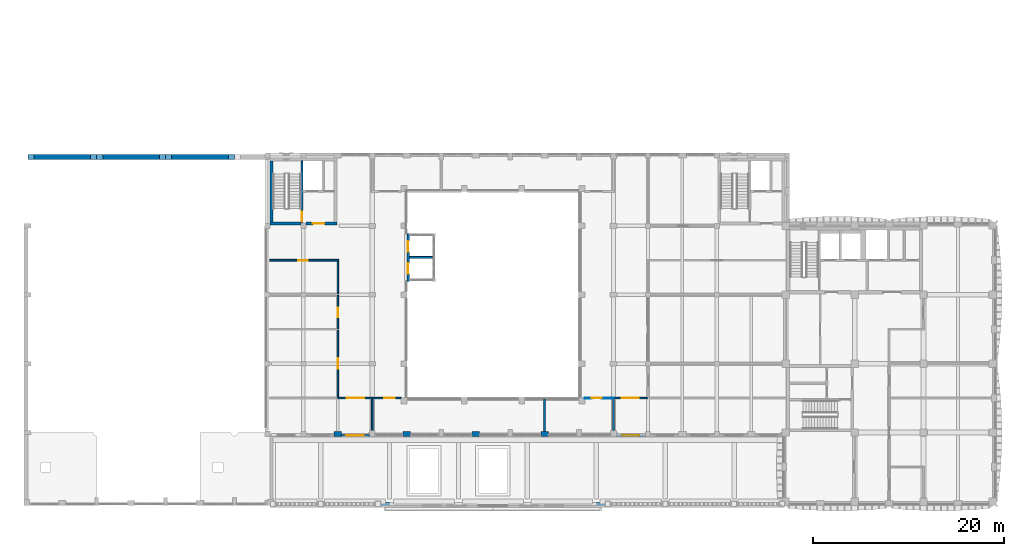
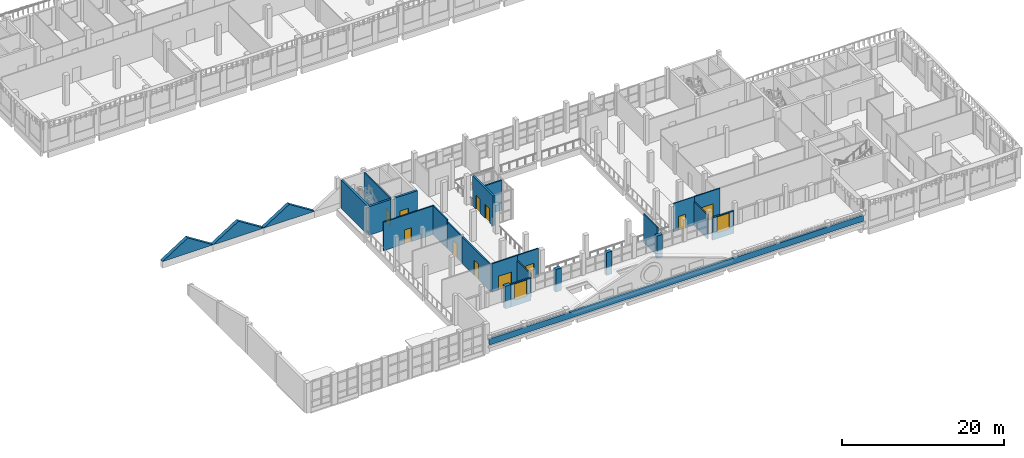
# One storey, part 20 of 58: 27 walls, 11 doors, 2 windows, 13 openings.
"""IFC4 building model written with IfcOpenShell, lengths in metres."""

from ifc_helpers import new_model, si_unit, direction, frame, frame_2d, origin, place, context, subcontext, project, spatial, polyline, rectangle, outline, extrude, material, layer, layer_set, type_object, element, fill, save


model = new_model("IFC4")

# Units and contexts
model_context = context("Model", 3, precision=1e-05, world=origin(), true_north=direction((0.0, 1.0)))
body_context = subcontext(model_context, "Body", "Model", "MODEL_VIEW")
ifc_project = project(units=[si_unit("LENGTHUNIT", "METRE"), si_unit("AREAUNIT", "SQUARE_METRE"), si_unit("VOLUMEUNIT", "CUBIC_METRE"), si_unit("PLANEANGLEUNIT", "RADIAN"), si_unit("MASSUNIT", "GRAM", prefix="KILO")], contexts=[model_context])

# Site, building, storey
site_placement = place(None, origin())
site = spatial("IfcSite", under=ifc_project, at=site_placement, CompositionType="ELEMENT")
building_placement = place(site_placement, origin())
building = spatial("IfcBuilding", under=site, at=building_placement, Name="Ussher Court Research Institute", CompositionType="ELEMENT")
storey_placement = place(building_placement, frame((0.0, 0.0, 9.89990234375)))
storey = spatial("IfcBuildingStorey", under=building, at=storey_placement, Name="L02", CompositionType="ELEMENT", Elevation=9.89990234375)

# Wall, opening, door
ifc_material_1 = material(Name="Plasterboard on steel studs with mineral wool", Category="steel")
ifc_layer_1 = layer(ifc_material_1, 0.179931640625)
ifc_layer_set_1 = layer_set([ifc_layer_1], Name="Plasterboard on steel studs with mineral wool")
wall_type_1 = type_object("IfcWallType", Name="Acoustic twin-stud partition 180", PredefinedType="PARTITIONING", material=ifc_layer_set_1)
wall_1_placement = place(storey_placement, frame((35.39990234375, 14.800048828125, 0.0), z_axis=(0.0, 0.0, 1.0), x_axis=(1.0, 0.0, 0.0)))
wall_1 = element("IfcWall", 1, at=wall_1_placement, inside=storey, type_object=wall_type_1, Name="Partition", PredefinedType="PARTITIONING", context=body_context, shape_type="SweptSolid", body=[
    extrude(rectangle(XDim=3.60009765625, YDim=0.179931640625, at=frame_2d((1.800048828125, 0.0))), origin(), (0.0, 0.0, 1.0), 4.300048828125),
])
opening_1_placement = place(wall_1_placement, frame((0.949951171875, 0.0, 0.0)))
opening_1 = element("IfcOpeningElement", 2, at=opening_1_placement, cuts=wall_1, Name="Opening D02017", PredefinedType="OPENING", context=body_context, shape_type="SweptSolid", body=[
    extrude(rectangle(XDim=1.800048828125, YDim=2.10009765625, at=frame_2d((0.89990234375, 1.050048828125))), frame((0.0, 0.10009765625, 0.0), z_axis=(0.0, -1.0, 0.0), x_axis=(1.0, 0.0, 0.0)), (0.0, 0.0, 1.0), 0.199951171875),
])
ifc_material_2 = material(Name="Veneered timber door", Category="wood")
door_type_1 = type_object("IfcDoorType", Name="Library door 1800x2100 double leaf", OperationType="DOUBLE_DOOR_SINGLE_SWING", PredefinedType="DOOR", material=ifc_material_2)
door_1_placement = place(opening_1_placement, origin())
door_1 = element("IfcDoor", 3, at=door_1_placement, inside=storey, type_object=door_type_1, Name="Door D02017", OperationType="SINGLE_SWING_LEFT", OverallHeight=2.10009765625, OverallWidth=1.800048828125, PredefinedType="DOOR", context=body_context, shape_type="SweptSolid", body=[
    extrude(rectangle(XDim=1.800048828125, YDim=2.10009765625, at=frame_2d((0.89990234375, 1.050048828125))), frame((0.0, 0.02490234375, 0.0), z_axis=(0.0, -1.0, 0.0), x_axis=(1.0, 0.0, 0.0)), (0.0, 0.0, 1.0), 0.050048828125),
])
fill(opening_1, door_1)

wall_2_placement = place(storey_placement, frame((42.0, 14.800048828125, 0.0), z_axis=(0.0, 0.0, 1.0), x_axis=(-1.0, 0.0, 0.0)))
wall_2 = element("IfcWall", 4, at=wall_2_placement, inside=storey, type_object=wall_type_1, Name="Partition", PredefinedType="PARTITIONING", context=body_context, shape_type="SweptSolid", body=[
    extrude(rectangle(XDim=3.0, YDim=0.179931640625, at=frame_2d((1.5, 0.0))), origin(), (0.0, 0.0, 1.0), 4.300048828125),
])
opening_2_placement = place(wall_2_placement, frame((0.64990234375, 0.0, 0.0)))
opening_2 = element("IfcOpeningElement", 5, at=opening_2_placement, cuts=wall_2, Name="Opening D02021", PredefinedType="OPENING", context=body_context, shape_type="SweptSolid", body=[
    extrude(rectangle(XDim=1.10009765625, YDim=2.300048828125, at=frame_2d((0.550048828125, 1.14990234375))), frame((0.0, 0.10009765625, 0.0), z_axis=(0.0, -1.0, 0.0), x_axis=(1.0, 0.0, 0.0)), (0.0, 0.0, 1.0), 0.199951171875),
])
ifc_material_3 = material(Name="Veneered timber door", Category="wood")
door_type_2 = type_object("IfcDoorType", Name="Seminar room door 1100x2300", OperationType="NOTDEFINED", PredefinedType="DOOR", material=ifc_material_3)
door_2_placement = place(opening_2_placement, origin())
door_2 = element("IfcDoor", 6, at=door_2_placement, inside=storey, type_object=door_type_2, Name="Door D02021", OperationType="SINGLE_SWING_LEFT", OverallHeight=2.300048828125, OverallWidth=1.10009765625, PredefinedType="DOOR", context=body_context, shape_type="SweptSolid", body=[
    extrude(rectangle(XDim=1.10009765625, YDim=2.300048828125, at=frame_2d((0.550048828125, 1.14990234375))), frame((0.0, 0.02490234375, 0.0), z_axis=(0.0, -1.0, 0.0), x_axis=(1.0, 0.0, 0.0)), (0.0, 0.0, 1.0), 0.050048828125),
])
fill(opening_2, door_2)

wall_3_placement = place(storey_placement, frame((64.199951171875, 14.800048828125, 0.0), z_axis=(0.0, 0.0, 1.0), x_axis=(1.0, 0.0, 0.0)))
wall_3 = element("IfcWall", 7, at=wall_3_placement, inside=storey, type_object=wall_type_1, Name="Partition", PredefinedType="PARTITIONING", context=body_context, shape_type="SweptSolid", body=[
    extrude(rectangle(XDim=3.60009765625, YDim=0.179931640625, at=frame_2d((1.800048828125, 0.0))), origin(), (0.0, 0.0, 1.0), 4.300048828125),
])
opening_3_placement = place(wall_3_placement, frame((0.85009765625, 0.0, 0.0)))
opening_3 = element("IfcOpeningElement", 8, at=opening_3_placement, cuts=wall_3, Name="Opening D02031", PredefinedType="OPENING", context=body_context, shape_type="SweptSolid", body=[
    extrude(rectangle(XDim=1.800048828125, YDim=2.300048828125, at=frame_2d((0.89990234375, 1.14990234375))), frame((0.0, 0.10009765625, 0.0), z_axis=(0.0, -1.0, 0.0), x_axis=(1.0, 0.0, 0.0)), (0.0, 0.0, 1.0), 0.199951171875),
])
ifc_material_4 = material(Name="Veneered timber door", Category="wood")
door_type_3 = type_object("IfcDoorType", Name="Exhibition door 1800x2300 double leaf", OperationType="DOUBLE_DOOR_SINGLE_SWING", PredefinedType="DOOR", material=ifc_material_4)
door_3_placement = place(opening_3_placement, origin())
door_3 = element("IfcDoor", 9, at=door_3_placement, inside=storey, type_object=door_type_3, Name="Door D02031", OperationType="SINGLE_SWING_LEFT", OverallHeight=2.300048828125, OverallWidth=1.800048828125, PredefinedType="DOOR", context=body_context, shape_type="SweptSolid", body=[
    extrude(rectangle(XDim=1.800048828125, YDim=2.300048828125, at=frame_2d((0.89990234375, 1.14990234375))), frame((0.0, 0.02490234375, 0.0), z_axis=(0.0, -1.0, 0.0), x_axis=(1.0, 0.0, 0.0)), (0.0, 0.0, 1.0), 0.050048828125),
])
fill(opening_3, door_3)

wall_4_placement = place(storey_placement, frame((35.489990234375, 29.199951171875, 0.0), z_axis=(0.0, 0.0, 1.0), x_axis=(-1.0, 0.0, 0.0)))
wall_4 = element("IfcWall", 10, at=wall_4_placement, inside=storey, type_object=wall_type_1, Name="Partition", PredefinedType="PARTITIONING", context=body_context, shape_type="SweptSolid", body=[
    extrude(rectangle(XDim=7.18994140625, YDim=0.179931640625, at=frame_2d((3.594970703125, 0.0))), origin(), (0.0, 0.0, 1.0), 4.300048828125),
])
opening_4_placement = place(wall_4_placement, frame((3.239990234375, 0.0, 0.0)))
opening_4 = element("IfcOpeningElement", 11, at=opening_4_placement, cuts=wall_4, Name="Opening D02012", PredefinedType="OPENING", context=body_context, shape_type="SweptSolid", body=[
    extrude(rectangle(XDim=1.0, YDim=2.10009765625, at=frame_2d((0.5, 1.050048828125))), frame((0.0, 0.10009765625, 0.0), z_axis=(0.0, -1.0, 0.0), x_axis=(1.0, 0.0, 0.0)), (0.0, 0.0, 1.0), 0.199951171875),
])
ifc_material_5 = material(Name="Veneered timber door", Category="wood")
door_type_4 = type_object("IfcDoorType", Name="Meeting room door 1000x2100", OperationType="NOTDEFINED", PredefinedType="DOOR", material=ifc_material_5)
door_4_placement = place(opening_4_placement, origin())
door_4 = element("IfcDoor", 12, at=door_4_placement, inside=storey, type_object=door_type_4, Name="Door D02012", OperationType="SINGLE_SWING_RIGHT", OverallHeight=2.10009765625, OverallWidth=1.0, PredefinedType="DOOR", context=body_context, shape_type="SweptSolid", body=[
    extrude(rectangle(XDim=1.0, YDim=2.10009765625, at=frame_2d((0.5, 1.050048828125))), frame((0.0, 0.02490234375, 0.0), z_axis=(0.0, -1.0, 0.0), x_axis=(1.0, 0.0, 0.0)), (0.0, 0.0, 1.0), 0.050048828125),
])
fill(opening_4, door_4)

wall_5_placement = place(storey_placement, frame((35.39990234375, 14.889892578125, 0.0), z_axis=(0.0, 0.0, 1.0), x_axis=(0.0, 1.0, 0.0)))
wall_5 = element("IfcWall", 13, at=wall_5_placement, inside=storey, type_object=wall_type_1, Name="Partition", PredefinedType="PARTITIONING", context=body_context, shape_type="SweptSolid", body=[
    extrude(rectangle(XDim=7.03515625, YDim=0.179931640625, at=frame_2d((3.517578125, 0.0))), origin(), (0.0, 0.0, 1.0), 4.02001953125),
])
opening_5_placement = place(wall_5_placement, frame((2.9599609375, 0.0, 0.0)))
opening_5 = element("IfcOpeningElement", 14, at=opening_5_placement, cuts=wall_5, Name="Opening D02015", PredefinedType="OPENING", context=body_context, shape_type="SweptSolid", body=[
    extrude(rectangle(XDim=1.10009765625, YDim=2.300048828125, at=frame_2d((0.550048828125, 1.14990234375))), frame((0.0, 0.10009765625, 0.0), z_axis=(0.0, -1.0, 0.0), x_axis=(1.0, 0.0, 0.0)), (0.0, 0.0, 1.0), 0.199951171875),
])
door_5_placement = place(opening_5_placement, origin())
door_5 = element("IfcDoor", 15, at=door_5_placement, inside=storey, type_object=door_type_2, Name="Door D02015", OperationType="SINGLE_SWING_LEFT", OverallHeight=2.300048828125, OverallWidth=1.10009765625, PredefinedType="DOOR", context=body_context, shape_type="SweptSolid", body=[
    extrude(rectangle(XDim=1.10009765625, YDim=2.300048828125, at=frame_2d((0.550048828125, 1.14990234375))), frame((0.0, 0.02490234375, 0.0), z_axis=(0.0, -1.0, 0.0), x_axis=(1.0, 0.0, 0.0)), (0.0, 0.0, 1.0), 0.050048828125),
])
fill(opening_5, door_5)

# Walls
wall_6_placement = place(storey_placement, frame((35.39990234375, 25.675048828125, 0.0), z_axis=(0.0, 0.0, 1.0), x_axis=(0.0, 1.0, 0.0)))
element("IfcWall", 16, at=wall_6_placement, inside=storey, type_object=wall_type_1, Name="Partition", PredefinedType="PARTITIONING", context=body_context, shape_type="SweptSolid", body=[
    extrude(rectangle(XDim=3.43505859375, YDim=0.179931640625, at=frame_2d((1.717529296875, 0.0))), origin(), (0.0, 0.0, 1.0), 4.300048828125),
])
wall_7_placement = place(storey_placement, frame((39.0, 11.39990234375, 0.0), z_axis=(0.0, 0.0, 1.0), x_axis=(0.0, 1.0, 0.0)))
element("IfcWall", 17, at=wall_7_placement, inside=storey, type_object=wall_type_1, Name="Partition", PredefinedType="PARTITIONING", context=body_context, shape_type="SweptSolid", body=[
    extrude(rectangle(XDim=3.31005859375, YDim=0.179931640625, at=frame_2d((1.655029296875, 0.0))), origin(), (0.0, 0.0, 1.0), 3.570068359375),
])
wall_8_placement = place(storey_placement, frame((57.0, 11.300048828125, 0.0), z_axis=(0.0, 0.0, 1.0), x_axis=(0.0, 1.0, 0.0)))
element("IfcWall", 18, at=wall_8_placement, inside=storey, type_object=wall_type_1, Name="Partition", PredefinedType="PARTITIONING", context=body_context, shape_type="SweptSolid", body=[
    extrude(rectangle(XDim=3.39990234375, YDim=0.179931640625, at=frame_2d((1.699951171875, 0.0))), origin(), (0.0, 0.0, 1.0), 4.300048828125),
])
wall_9_placement = place(storey_placement, frame((64.199951171875, 11.39990234375, 0.0), z_axis=(0.0, 0.0, 1.0), x_axis=(0.0, 1.0, 0.0)))
element("IfcWall", 19, at=wall_9_placement, inside=storey, type_object=wall_type_1, Name="Partition", PredefinedType="PARTITIONING", context=body_context, shape_type="SweptSolid", body=[
    extrude(rectangle(XDim=3.35009765625, YDim=0.179931640625, at=frame_2d((1.675048828125, 0.0))), origin(), (0.0, 0.0, 1.0), 3.570068359375),
])
ifc_material_6 = material(Name="Concrete C35/45", Category="concrete")
ifc_layer_2 = layer(ifc_material_6, 0.5)
ifc_layer_set_2 = layer_set([ifc_layer_2], Name="Concrete C35/45")
wall_type_2 = type_object("IfcWallType", Name="End diaphragm wall 500", PredefinedType="SOLIDWALL", material=ifc_layer_set_2)
for number, where, z_axis, x_axis, name in (
    (20, (3.0, 40.0, 0.7802734375), (0.0, 0.0, 1.0), (1.0, 0.0, 0.0), "DW500 V1 L02-01"),
    (21, (10.199951171875, 40.0, 0.7802734375), (0.0, 0.0, 1.0), (1.0, 0.0, 0.0), "DW500 V1 L02-02"),
):
    element("IfcWall", number, at=place(storey_placement, frame(where, z_axis=z_axis, x_axis=x_axis)), inside=storey, type_object=wall_type_2, Name=name, PredefinedType="SOLIDWALL", context=body_context, shape_type="SweptSolid", body=[
        extrude(outline(polyline([(0.0, 0.0), (7.199951171875, 0.0), (7.199951171875, 0.02001953125), (3.60009765625, 2.303466796875), (0.0, 0.02001953125), (0.0, 0.0)])), frame((0.0, 0.25, 0.0), z_axis=(0.0, -1.0, 0.0), x_axis=(1.0, 0.0, 0.0)), (0.0, 0.0, 1.0), 0.5),
    ])
wall_10_placement = place(storey_placement, frame((17.39990234375, 40.0, 0.7802734375), z_axis=(0.0, 0.0, 1.0), x_axis=(1.0, 0.0, 0.0)))
element("IfcWall", 22, at=wall_10_placement, inside=storey, type_object=wall_type_2, Name="DW500 V1 L02-03", PredefinedType="SOLIDWALL", context=body_context, shape_type="SweptSolid", body=[
    extrude(outline(polyline([(0.0, 0.0), (7.2001953125, 0.0), (7.199951171875, 0.02001953125), (3.60009765625, 2.303466796875), (0.0, 0.02001953125), (0.0, 0.0)])), frame((0.0, 0.25, 0.0), z_axis=(0.0, -1.0, 0.0), x_axis=(1.0, 0.0, 0.0)), (0.0, 0.0, 1.0), 0.5),
])

# Wall, opening, door
ifc_material_7 = material(Name="Plastered blockwork", Category="masonry")
ifc_layer_3 = layer(ifc_material_7, 0.14990234375)
ifc_layer_set_3 = layer_set([ifc_layer_3], Name="Plastered blockwork")
wall_type_3 = type_object("IfcWallType", Name="Fire partition blockwork 150 EI 60", PredefinedType="PARTITIONING", material=ifc_layer_set_3)
wall_11_placement = place(storey_placement, frame((35.39990234375, 22.074951171875, 0.0), z_axis=(0.0, 0.0, 1.0), x_axis=(0.0, 1.0, 0.0)))
wall_11 = element("IfcWall", 23, at=wall_11_placement, inside=storey, type_object=wall_type_3, Name="Fire partition", PredefinedType="PARTITIONING", context=body_context, shape_type="SweptSolid", body=[
    extrude(rectangle(XDim=3.449951171875, YDim=0.14990234375, at=frame_2d((1.72509765625, 0.0))), origin(), (0.0, 0.0, 1.0), 4.02001953125),
])
opening_6_placement = place(wall_11_placement, frame((1.175048828125, 0.0, 0.0)))
opening_6 = element("IfcOpeningElement", 24, at=opening_6_placement, cuts=wall_11, Name="Opening D02016", PredefinedType="OPENING", context=body_context, shape_type="SweptSolid", body=[
    extrude(rectangle(XDim=1.0, YDim=2.10009765625, at=frame_2d((0.5, 1.050048828125))), frame((0.0, 0.0849609375, 0.0), z_axis=(0.0, -1.0, 0.0), x_axis=(1.0, 0.0, 0.0)), (0.0, 0.0, 1.0), 0.169921875),
])
ifc_material_8 = material(Name="Painted steel faced fire door", Category="steel")
door_type_5 = type_object("IfcDoorType", Name="Store door 1000x2100 FD60", OperationType="NOTDEFINED", PredefinedType="DOOR", material=ifc_material_8)
door_6_placement = place(opening_6_placement, origin())
door_6 = element("IfcDoor", 25, at=door_6_placement, inside=storey, type_object=door_type_5, Name="Door D02016", OperationType="SINGLE_SWING_LEFT", OverallHeight=2.10009765625, OverallWidth=1.0, PredefinedType="DOOR", context=body_context, shape_type="SweptSolid", body=[
    extrude(rectangle(XDim=1.0, YDim=2.10009765625, at=frame_2d((0.5, 1.050048828125))), frame((0.0, 0.02490234375, 0.0), z_axis=(0.0, -1.0, 0.0), x_axis=(1.0, 0.0, 0.0)), (0.0, 0.0, 1.0), 0.050048828125),
])
fill(opening_6, door_6)

# Wall, opening, window
ifc_material_9 = material(Name="Limestone facing on insulated blockwork", Category="masonry")
ifc_layer_4 = layer(ifc_material_9, 0.219970703125)
ifc_layer_set_4 = layer_set([ifc_layer_4], Name="Limestone facing on insulated blockwork")
wall_type_4 = type_object("IfcWallType", Name="Link wall 220 limestone faced insulated block", PredefinedType="SOLIDWALL", material=ifc_layer_set_4)
wall_12_placement = place(storey_placement, frame((67.550048828125, 10.909912109375, 0.0), z_axis=(0.0, 0.0, 1.0), x_axis=(-1.0, 0.0, 0.0)))
wall_12 = element("IfcWall", 26, at=wall_12_placement, inside=storey, type_object=wall_type_4, Name="External wall EW6 L02", PredefinedType="SOLIDWALL", context=body_context, shape_type="SweptSolid", body=[
    extrude(rectangle(XDim=3.050048828125, YDim=0.219970703125, at=frame_2d((1.52490234375, 0.0))), origin(), (0.0, 0.0, 1.0), 3.400146484375),
])
opening_7_placement = place(wall_12_placement, frame((0.64990234375, 0.0, 0.89990234375)))
opening_7 = element("IfcOpeningElement", 27, at=opening_7_placement, cuts=wall_12, Name="Opening W05", PredefinedType="OPENING", context=body_context, shape_type="SweptSolid", body=[
    extrude(rectangle(XDim=1.800048828125, YDim=2.39990234375, at=frame_2d((0.89990234375, 1.199951171875))), frame((0.0, 0.1201171875, 0.0), z_axis=(0.0, -1.0, 0.0), x_axis=(1.0, 0.0, 0.0)), (0.0, 0.0, 1.0), 0.239990234375),
])
ifc_material_10 = material(Name="Bronze anodised aluminium with double glazing", Category="aluminium")
window_type = type_object("IfcWindowType", Name="Reading link window 1800x2400", PartitioningType="DOUBLE_PANEL_VERTICAL", PredefinedType="WINDOW", material=ifc_material_10)
window_1_placement = place(opening_7_placement, origin())
window_1 = element("IfcWindow", 28, at=window_1_placement, inside=storey, type_object=window_type, Name="Window W05 L02", OverallHeight=2.39990234375, OverallWidth=1.800048828125, PartitioningType="SINGLE_PANEL", PredefinedType="WINDOW", context=body_context, shape_type="SweptSolid", body=[
    extrude(rectangle(XDim=1.800048828125, YDim=2.39990234375, at=frame_2d((0.89990234375, 1.199951171875))), frame((0.0, 0.030029296875, 0.0), z_axis=(0.0, -1.0, 0.0), x_axis=(1.0, 0.0, 0.0)), (0.0, 0.0, 1.0), 0.06005859375),
])
fill(opening_7, window_1)

wall_13_placement = place(storey_placement, frame((38.699951171875, 10.909912109375, 0.0), z_axis=(0.0, 0.0, 1.0), x_axis=(-1.0, 0.0, 0.0)))
wall_13 = element("IfcWall", 29, at=wall_13_placement, inside=storey, type_object=wall_type_4, Name="External wall EW6 L02", PredefinedType="SOLIDWALL", context=body_context, shape_type="SweptSolid", body=[
    extrude(rectangle(XDim=2.89990234375, YDim=0.219970703125, at=frame_2d((1.449951171875, 0.0))), origin(), (0.0, 0.0, 1.0), 3.400146484375),
])
opening_8_placement = place(wall_13_placement, frame((0.60009765625, 0.0, 0.89990234375)))
opening_8 = element("IfcOpeningElement", 30, at=opening_8_placement, cuts=wall_13, Name="Opening W05", PredefinedType="OPENING", context=body_context, shape_type="SweptSolid", body=[
    extrude(rectangle(XDim=1.800048828125, YDim=2.39990234375, at=frame_2d((0.89990234375, 1.199951171875))), frame((0.0, 0.1201171875, 0.0), z_axis=(0.0, -1.0, 0.0), x_axis=(1.0, 0.0, 0.0)), (0.0, 0.0, 1.0), 0.239990234375),
])
window_2_placement = place(opening_8_placement, origin())
window_2 = element("IfcWindow", 31, at=window_2_placement, inside=storey, type_object=window_type, Name="Window W05 L02", OverallHeight=2.39990234375, OverallWidth=1.800048828125, PartitioningType="SINGLE_PANEL", PredefinedType="WINDOW", context=body_context, shape_type="SweptSolid", body=[
    extrude(rectangle(XDim=1.800048828125, YDim=2.39990234375, at=frame_2d((0.89990234375, 1.199951171875))), frame((0.0, 0.030029296875, 0.0), z_axis=(0.0, -1.0, 0.0), x_axis=(1.0, 0.0, 0.0)), (0.0, 0.0, 1.0), 0.06005859375),
])
fill(opening_8, window_2)

# Wall
ifc_material_11 = material(Name="Limestone facing on blockwork", Category="masonry")
ifc_layer_5 = layer(ifc_material_11, 0.280029296875)
ifc_layer_set_5 = layer_set([ifc_layer_5], Name="Limestone facing on blockwork")
wall_type_5 = type_object("IfcWallType", Name="Parapet 280 limestone", PredefinedType="PARAPET", material=ifc_layer_set_5)
wall_14_placement = place(storey_placement, frame((28.60009765625, 3.739990234375, 1.2001953125), z_axis=(0.0, 0.0, 1.0), x_axis=(1.0, 0.0, 0.0)))
element("IfcWall", 32, at=wall_14_placement, inside=storey, type_object=wall_type_5, Name="Parapet PW2", PredefinedType="PARAPET", context=body_context, shape_type="SweptSolid", body=[
    extrude(rectangle(XDim=53.199951171875, YDim=0.280029296875, at=frame_2d((26.60009765625, 0.0))), origin(), (0.0, 0.0, 1.0), 0.89990234375),
])

# Wall, opening, door
ifc_material_12 = material(Name="Plastered blockwork", Category="masonry")
ifc_layer_6 = layer(ifc_material_12, 0.10009765625)
ifc_layer_set_6 = layer_set([ifc_layer_6], Name="Plastered blockwork")
wall_type_6 = type_object("IfcWallType", Name="Partition plastered blockwork 100", PredefinedType="PARTITIONING", material=ifc_layer_set_6)
wall_15_placement = place(storey_placement, frame((64.199951171875, 14.800048828125, 0.0), z_axis=(0.0, 0.0, 1.0), x_axis=(-1.0, 0.0, 0.0)))
wall_15 = element("IfcWall", 33, at=wall_15_placement, inside=storey, type_object=wall_type_6, Name="Partition", PredefinedType="PARTITIONING", context=body_context, shape_type="SweptSolid", body=[
    extrude(rectangle(XDim=3.0, YDim=0.10009765625, at=frame_2d((1.5, 0.0))), origin(), (0.0, 0.0, 1.0), 4.300048828125),
])
opening_9_placement = place(wall_15_placement, frame((1.25, 0.0, 0.0)))
opening_9 = element("IfcOpeningElement", 34, at=opening_9_placement, cuts=wall_15, Name="Opening D02029", PredefinedType="OPENING", context=body_context, shape_type="SweptSolid", body=[
    extrude(rectangle(XDim=1.0, YDim=2.10009765625, at=frame_2d((0.5, 1.050048828125))), frame((0.0, 0.06005859375, 0.0), z_axis=(0.0, -1.0, 0.0), x_axis=(1.0, 0.0, 0.0)), (0.0, 0.0, 1.0), 0.1201171875),
])
ifc_material_13 = material(Name="Veneered timber door", Category="wood")
door_type_6 = type_object("IfcDoorType", Name="Lounge door 1000x2100", OperationType="NOTDEFINED", PredefinedType="DOOR", material=ifc_material_13)
door_7_placement = place(opening_9_placement, origin())
door_7 = element("IfcDoor", 35, at=door_7_placement, inside=storey, type_object=door_type_6, Name="Door D02029", OperationType="SINGLE_SWING_RIGHT", OverallHeight=2.10009765625, OverallWidth=1.0, PredefinedType="DOOR", context=body_context, shape_type="SweptSolid", body=[
    extrude(rectangle(XDim=1.0, YDim=2.10009765625, at=frame_2d((0.5, 1.050048828125))), frame((0.0, 0.02490234375, 0.0), z_axis=(0.0, -1.0, 0.0), x_axis=(1.0, 0.0, 0.0)), (0.0, 0.0, 1.0), 0.050048828125),
])
fill(opening_9, door_7)

# Walls
ifc_material_14 = material(Name="Rusticated limestone facing on blockwork", Category="masonry")
ifc_layer_7 = layer(ifc_material_14, 0.5)
ifc_layer_set_7 = layer_set([ifc_layer_7], Name="Rusticated limestone facing on blockwork")
wall_type_7 = type_object("IfcWallType", Name="Pier 800x500 rusticated limestone", PredefinedType="SOLIDWALL", material=ifc_layer_set_7)
wall_16_placement = place(storey_placement, frame((57.39990234375, 11.050048828125, 0.0), z_axis=(0.0, 0.0, 1.0), x_axis=(-1.0, 0.0, 0.0)))
element("IfcWall", 36, at=wall_16_placement, inside=storey, type_object=wall_type_7, Name="Pier PR2 L02", PredefinedType="SOLIDWALL", context=body_context, shape_type="SweptSolid", body=[
    extrude(rectangle(XDim=0.7998046875, YDim=0.5, at=frame_2d((0.39990234375, 0.0))), origin(), (0.0, 0.0, 1.0), 3.400146484375),
])
for number, where, z_axis, x_axis, name in (
    (37, (50.199951171875, 11.050048828125, 0.0), (0.0, 0.0, 1.0), (-1.0, 0.0, 0.0), "Pier PR2 L02"),
    (38, (43.0, 11.050048828125, 0.0), (0.0, 0.0, 1.0), (-1.0, 0.0, 0.0), "Pier PR2 L02"),
    (39, (35.800048828125, 11.050048828125, 0.0), (0.0, 0.0, 1.0), (-1.0, 0.0, 0.0), "Pier PR2 L02"),
):
    element("IfcWall", number, at=place(storey_placement, frame(where, z_axis=z_axis, x_axis=x_axis)), inside=storey, type_object=wall_type_7, Name=name, PredefinedType="SOLIDWALL", context=body_context, shape_type="SweptSolid", body=[
        extrude(rectangle(XDim=0.800048828125, YDim=0.5, at=frame_2d((0.39990234375, 0.0))), origin(), (0.0, 0.0, 1.0), 3.400146484375),
    ])

# Wall, opening, door
ifc_material_15 = material(Name="Concrete C35/45", Category="concrete")
ifc_layer_8 = layer(ifc_material_15, 0.199951171875)
ifc_layer_set_8 = layer_set([ifc_layer_8], Name="Concrete C35/45")
wall_type_8 = type_object("IfcWallType", Name="RC core wall 200", PredefinedType="SHEAR", material=ifc_layer_set_8)
wall_17_placement = place(storey_placement, frame((31.64990234375, 33.199951171875, 0.0), z_axis=(0.0, 0.0, 1.0), x_axis=(0.0, 1.0, 0.0)))
wall_17 = element("IfcWall", 40, at=wall_17_placement, inside=storey, type_object=wall_type_8, Name="Core wall W1", PredefinedType="SHEAR", context=body_context, shape_type="SweptSolid", body=[
    extrude(rectangle(XDim=6.400146484375, YDim=0.199951171875, at=frame_2d((3.2001953125, 0.0))), origin(), (0.0, 0.0, 1.0), 4.300048828125),
])
opening_10_placement = place(wall_17_placement, frame((0.10009765625, 0.0, 0.0)))
opening_10 = element("IfcOpeningElement", 41, at=opening_10_placement, cuts=wall_17, Name="Opening D02011", PredefinedType="OPENING", context=body_context, shape_type="SweptSolid", body=[
    extrude(rectangle(XDim=1.0, YDim=2.10009765625, at=frame_2d((0.5, 1.050048828125))), frame((0.0, 0.10986328125, 0.0), z_axis=(0.0, -1.0, 0.0), x_axis=(1.0, 0.0, 0.0)), (0.0, 0.0, 1.0), 0.219970703125),
])
ifc_material_16 = material(Name="Painted steel faced fire door", Category="steel")
door_type_7 = type_object("IfcDoorType", Name="Fire door 1000x2100 FD60", OperationType="NOTDEFINED", PredefinedType="DOOR", material=ifc_material_16)
door_8_placement = place(opening_10_placement, origin())
door_8 = element("IfcDoor", 42, at=door_8_placement, inside=storey, type_object=door_type_7, Name="Door D02011", OperationType="SINGLE_SWING_LEFT", OverallHeight=2.10009765625, OverallWidth=1.0, PredefinedType="DOOR", context=body_context, shape_type="SweptSolid", body=[
    extrude(rectangle(XDim=1.0, YDim=2.10009765625, at=frame_2d((0.5, 1.050048828125))), frame((0.0, 0.02490234375, 0.0), z_axis=(0.0, -1.0, 0.0), x_axis=(1.0, 0.0, 0.0)), (0.0, 0.0, 1.0), 0.050048828125),
])
fill(opening_10, door_8)

# Walls
wall_18_placement = place(storey_placement, frame((42.89990234375, 29.5, 0.0), z_axis=(0.0, 0.0, 1.0), x_axis=(1.0, 0.0, 0.0)))
element("IfcWall", 43, at=wall_18_placement, inside=storey, type_object=wall_type_8, Name="Lift shaft divider atrium", PredefinedType="SHEAR", context=body_context, shape_type="SweptSolid", body=[
    extrude(rectangle(XDim=2.400146484375, YDim=0.199951171875, at=frame_2d((1.2001953125, 0.0))), origin(), (0.0, 0.0, 1.0), 4.5),
])
ifc_material_17 = material(Name="Concrete C35/45", Category="concrete")
ifc_layer_9 = layer(ifc_material_17, 0.300048828125)
ifc_layer_set_9 = layer_set([ifc_layer_9], Name="Concrete C35/45")
wall_type_9 = type_object("IfcWallType", Name="RC core wall 300", PredefinedType="SHEAR", material=ifc_layer_set_9)
wall_19_placement = place(storey_placement, frame((28.300048828125, 33.050048828125, 0.0), z_axis=(0.0, 0.0, 1.0), x_axis=(1.0, 0.0, 0.0)))
element("IfcWall", 44, at=wall_19_placement, inside=storey, type_object=wall_type_9, Name="Core wall W1", PredefinedType="SHEAR", context=body_context, shape_type="SweptSolid", body=[
    extrude(rectangle(XDim=3.25, YDim=0.300048828125, at=frame_2d((1.625, 0.0))), origin(), (0.0, 0.0, 1.0), 4.300048828125),
])

# Wall, opening, door
wall_20_placement = place(storey_placement, frame((32.050048828125, 33.050048828125, 0.0), z_axis=(0.0, 0.0, 1.0), x_axis=(1.0, 0.0, 0.0)))
wall_20 = element("IfcWall", 45, at=wall_20_placement, inside=storey, type_object=wall_type_9, Name="Core wall W1", PredefinedType="SHEAR", context=body_context, shape_type="SweptSolid", body=[
    extrude(rectangle(XDim=3.25, YDim=0.300048828125, at=frame_2d((1.625, 0.0))), origin(), (0.0, 0.0, 1.0), 4.300048828125),
])
opening_11_placement = place(wall_20_placement, frame((0.75, 0.0, 0.0)))
opening_11 = element("IfcOpeningElement", 46, at=opening_11_placement, cuts=wall_20, Name="Opening D02013", PredefinedType="OPENING", context=body_context, shape_type="SweptSolid", body=[
    extrude(rectangle(XDim=1.199951171875, YDim=2.10009765625, at=frame_2d((0.60009765625, 1.050048828125))), frame((0.0, 0.16015625, 0.0), z_axis=(0.0, -1.0, 0.0), x_axis=(1.0, 0.0, 0.0)), (0.0, 0.0, 1.0), 0.320068359375),
])
ifc_material_18 = material(Name="Painted steel faced fire door", Category="steel")
door_type_8 = type_object("IfcDoorType", Name="Fire door 1200x2100 FD60", OperationType="NOTDEFINED", PredefinedType="DOOR", material=ifc_material_18)
door_9_placement = place(opening_11_placement, origin())
door_9 = element("IfcDoor", 47, at=door_9_placement, inside=storey, type_object=door_type_8, Name="Door D02013", OperationType="SINGLE_SWING_LEFT", OverallHeight=2.10009765625, OverallWidth=1.199951171875, PredefinedType="DOOR", context=body_context, shape_type="SweptSolid", body=[
    extrude(rectangle(XDim=1.199951171875, YDim=2.10009765625, at=frame_2d((0.60009765625, 1.050048828125))), frame((0.0, 0.02490234375, 0.0), z_axis=(0.0, -1.0, 0.0), x_axis=(1.0, 0.0, 0.0)), (0.0, 0.0, 1.0), 0.050048828125),
])
fill(opening_11, door_9)

# Wall
wall_21_placement = place(storey_placement, frame((28.449951171875, 33.199951171875, 0.0), z_axis=(0.0, 0.0, 1.0), x_axis=(0.0, 1.0, 0.0)))
element("IfcWall", 48, at=wall_21_placement, inside=storey, type_object=wall_type_9, Name="Core wall W1", PredefinedType="SHEAR", context=body_context, shape_type="SweptSolid", body=[
    extrude(rectangle(XDim=6.400146484375, YDim=0.300048828125, at=frame_2d((3.2001953125, 0.0))), origin(), (0.0, 0.0, 1.0), 4.300048828125),
])

# Wall, openings, doors
wall_22_placement = place(storey_placement, frame((42.75, 27.0, 0.0), z_axis=(0.0, 0.0, 1.0), x_axis=(0.0, 1.0, 0.0)))
wall_22 = element("IfcWall", 49, at=wall_22_placement, inside=storey, type_object=wall_type_9, Name="Lift shaft wall atrium", PredefinedType="SHEAR", context=body_context, shape_type="SweptSolid", body=[
    extrude(rectangle(XDim=5.0, YDim=0.300048828125, at=frame_2d((2.5, 0.0))), origin(), (0.0, 0.0, 1.0), 4.5),
])
opening_12_placement = place(wall_22_placement, frame((0.800048828125, 0.0, 0.0)))
opening_12 = element("IfcOpeningElement", 50, at=opening_12_placement, cuts=wall_22, Name="Opening LD29", PredefinedType="OPENING", context=body_context, shape_type="SweptSolid", body=[
    extrude(rectangle(XDim=1.10009765625, YDim=2.10009765625, at=frame_2d((0.550048828125, 1.050048828125))), frame((0.0, 0.16015625, 0.0), z_axis=(0.0, -1.0, 0.0), x_axis=(1.0, 0.0, 0.0)), (0.0, 0.0, 1.0), 0.320068359375),
])
opening_13_placement = place(wall_22_placement, frame((3.10009765625, 0.0, 0.0)))
opening_13 = element("IfcOpeningElement", 51, at=opening_13_placement, cuts=wall_22, Name="Opening LD30", PredefinedType="OPENING", context=body_context, shape_type="SweptSolid", body=[
    extrude(rectangle(XDim=1.10009765625, YDim=2.10009765625, at=frame_2d((0.550048828125, 1.050048828125))), frame((0.0, 0.16015625, 0.0), z_axis=(0.0, -1.0, 0.0), x_axis=(1.0, 0.0, 0.0)), (0.0, 0.0, 1.0), 0.320068359375),
])
ifc_material_19 = material(Name="Stainless steel lift door", Category="steel")
door_type_9 = type_object("IfcDoorType", Name="Lift landing door 1100x2100 sliding", OperationType="DOUBLE_DOOR_SLIDING", PredefinedType="DOOR", material=ifc_material_19)
door_10_placement = place(opening_12_placement, origin())
door_10 = element("IfcDoor", 52, at=door_10_placement, inside=storey, type_object=door_type_9, Name="Landing door LP7 L02", OperationType="DOUBLE_DOOR_SLIDING", OverallHeight=2.10009765625, OverallWidth=1.10009765625, PredefinedType="DOOR", context=body_context, shape_type="SweptSolid", body=[
    extrude(rectangle(XDim=1.10009765625, YDim=2.10009765625, at=frame_2d((0.550048828125, 1.050048828125))), frame((0.0, 0.02490234375, 0.0), z_axis=(0.0, -1.0, 0.0), x_axis=(1.0, 0.0, 0.0)), (0.0, 0.0, 1.0), 0.050048828125),
])
fill(opening_12, door_10)
door_11_placement = place(opening_13_placement, origin())
door_11 = element("IfcDoor", 53, at=door_11_placement, inside=storey, type_object=door_type_9, Name="Landing door LP8 L02", OperationType="DOUBLE_DOOR_SLIDING", OverallHeight=2.10009765625, OverallWidth=1.10009765625, PredefinedType="DOOR", context=body_context, shape_type="SweptSolid", body=[
    extrude(rectangle(XDim=1.10009765625, YDim=2.10009765625, at=frame_2d((0.550048828125, 1.050048828125))), frame((0.0, 0.02490234375, 0.0), z_axis=(0.0, -1.0, 0.0), x_axis=(1.0, 0.0, 0.0)), (0.0, 0.0, 1.0), 0.050048828125),
])
fill(opening_13, door_11)

save(model, "model.ifc")
